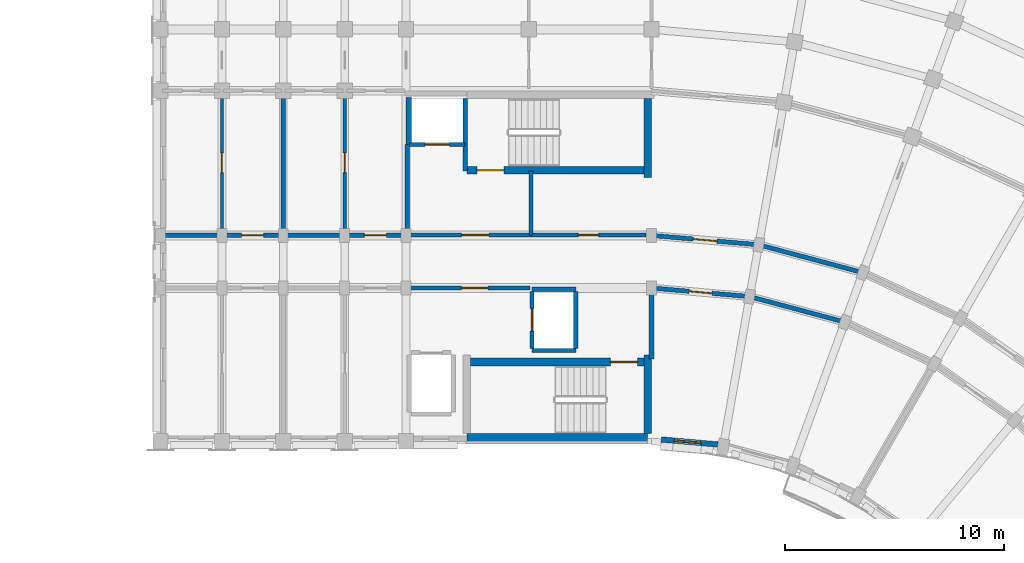
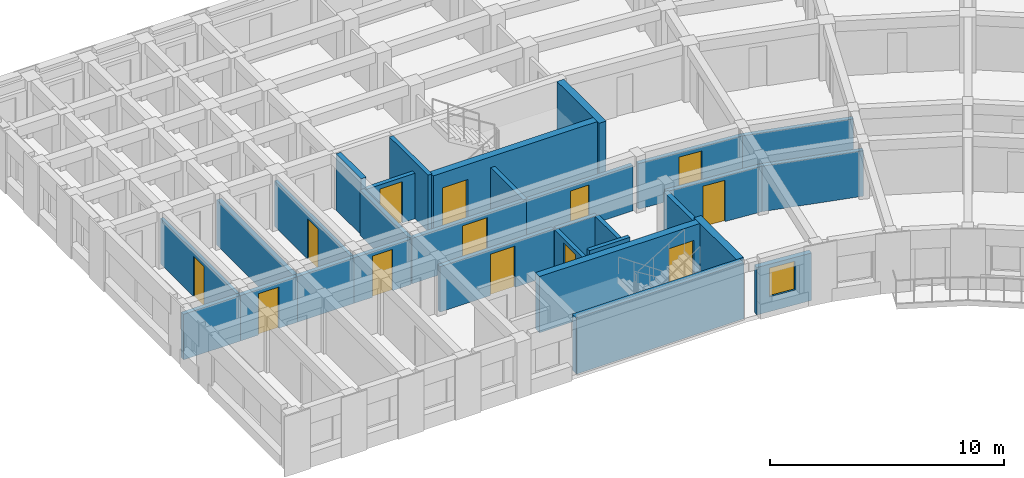
# One storey, part 31 of 54: 30 walls, 13 doors, 1 window, 14 openings.
"""IFC4 building model written with IfcOpenShell, lengths in metres."""

from ifc_helpers import new_model, si_unit, direction, frame, frame_2d, origin, place, context, subcontext, project, spatial, rectangle, extrude, material, layer, layer_set, type_object, element, fill, save


model = new_model("IFC4")

# Units and contexts
model_context = context("Model", 3, precision=1e-05, world=origin(), true_north=direction((0.0, 1.0)))
body_context = subcontext(model_context, "Body", "Model", "MODEL_VIEW")
ifc_project = project(units=[si_unit("LENGTHUNIT", "METRE"), si_unit("AREAUNIT", "SQUARE_METRE"), si_unit("VOLUMEUNIT", "CUBIC_METRE"), si_unit("PLANEANGLEUNIT", "RADIAN"), si_unit("MASSUNIT", "GRAM", prefix="KILO")], contexts=[model_context])

# Site, building, storey
site_placement = place(None, origin())
site = spatial("IfcSite", under=ifc_project, at=site_placement, CompositionType="ELEMENT")
building_placement = place(site_placement, origin())
building = spatial("IfcBuilding", under=site, at=building_placement, Name="Kiranvali Square Residences", CompositionType="ELEMENT")
storey_placement = place(building_placement, frame((0.0, 0.0, 27.60009765625)))
storey = spatial("IfcBuildingStorey", under=building, at=storey_placement, Name="L08", CompositionType="ELEMENT", Elevation=27.60009765625)

# Wall, opening, door
ifc_material_1 = material(Name="Autoclaved aerated concrete blockwork masonry", Category="masonry")
ifc_layer_1 = layer(ifc_material_1, 0.199951171875)
ifc_layer_set_1 = layer_set([ifc_layer_1], Name="Autoclaved aerated concrete blockwork masonry")
wall_type_1 = type_object("IfcWallType", Name="WL-COR-200", PredefinedType="STANDARD", material=ifc_layer_set_1)
wall_1_placement = place(storey_placement, frame((114.25, 113.60009765625, 0.0), z_axis=(0.0, 0.0, 1.0), x_axis=(-1.0, 0.0, 0.0)))
wall_1 = element("IfcWall", 1, at=wall_1_placement, inside=storey, type_object=wall_type_1, Name="L08 architectural wall WL-L08-B-LL-COR", PredefinedType="STANDARD", context=body_context, shape_type="SweptSolid", body=[
    extrude(rectangle(XDim=5.60009765625, YDim=0.199951171875, at=frame_2d((2.800048828125, 0.0))), origin(), (0.0, 0.0, 1.0), 2.371826171875),
])
opening_1_placement = place(wall_1_placement, frame((1.909912109375, 0.0, 0.0)))
opening_1 = element("IfcOpeningElement", 2, at=opening_1_placement, cuts=wall_1, Name="Opening FD-COR-60", PredefinedType="OPENING", context=body_context, shape_type="SweptSolid", body=[
    extrude(rectangle(XDim=1.219970703125, YDim=2.14990234375, at=frame_2d((0.60986328125, 1.074951171875))), frame((0.0, 0.10986328125, 0.0), z_axis=(0.0, -1.0, 0.0), x_axis=(1.0, 0.0, 0.0)), (0.0, 0.0, 1.0), 0.219970703125),
])
ifc_material_2 = material(Name="Fire-rated acoustic hardwood and mineral-core door assembly", Category="wood")
door_type_1 = type_object("IfcDoorType", Name="DR-FD60-1200", OperationType="NOTDEFINED", PredefinedType="DOOR", material=ifc_material_2)
door_1_placement = place(opening_1_placement, origin())
door_1 = element("IfcDoor", 3, at=door_1_placement, inside=storey, type_object=door_type_1, Name="L08 door DR-L08-1459 (DR-FD60-1200)", OperationType="SINGLE_SWING_LEFT", OverallHeight=2.14990234375, OverallWidth=1.219970703125, PredefinedType="DOOR", context=body_context, shape_type="SweptSolid", body=[
    extrude(rectangle(XDim=1.219970703125, YDim=2.14990234375, at=frame_2d((0.60986328125, 1.074951171875))), frame((0.0, 0.02490234375, 0.0), z_axis=(0.0, -1.0, 0.0), x_axis=(1.0, 0.0, 0.0)), (0.0, 0.0, 1.0), 0.050048828125),
])
fill(opening_1, door_1)

wall_2_placement = place(storey_placement, frame((108.60009765625, 116.0, 0.0), z_axis=(0.0, 0.0, 1.0), x_axis=(-1.0, 0.0, 0.0)))
wall_2 = element("IfcWall", 4, at=wall_2_placement, inside=storey, type_object=wall_type_1, Name="L08 architectural wall WL-L08-B-A1CO-0", PredefinedType="STANDARD", context=body_context, shape_type="SweptSolid", body=[
    extrude(rectangle(XDim=2.800048828125, YDim=0.199951171875, at=frame_2d((1.39990234375, 0.0))), origin(), (0.0, 0.0, 1.0), 2.371826171875),
])
opening_2_placement = place(wall_2_placement, frame((0.89990234375, 0.0, 0.0)))
opening_2 = element("IfcOpeningElement", 5, at=opening_2_placement, cuts=wall_2, Name="Opening FD-APT-60", PredefinedType="OPENING", context=body_context, shape_type="SweptSolid", body=[
    extrude(rectangle(XDim=1.0, YDim=2.14990234375, at=frame_2d((0.5, 1.074951171875))), frame((0.0, 0.10986328125, 0.0), z_axis=(0.0, -1.0, 0.0), x_axis=(1.0, 0.0, 0.0)), (0.0, 0.0, 1.0), 0.219970703125),
])
door_type_2 = type_object("IfcDoorType", Name="DR-APT-1000", OperationType="NOTDEFINED", PredefinedType="DOOR", material=ifc_material_2)
door_2_placement = place(opening_2_placement, origin())
door_2 = element("IfcDoor", 6, at=door_2_placement, inside=storey, type_object=door_type_2, Name="L08 door DR-L08-1465 (DR-APT-1000)", OperationType="SINGLE_SWING_LEFT", OverallHeight=2.14990234375, OverallWidth=1.0, PredefinedType="DOOR", context=body_context, shape_type="SweptSolid", body=[
    extrude(rectangle(XDim=1.0, YDim=2.14990234375, at=frame_2d((0.5, 1.074951171875))), frame((0.0, 0.02490234375, 0.0), z_axis=(0.0, -1.0, 0.0), x_axis=(1.0, 0.0, 0.0)), (0.0, 0.0, 1.0), 0.050048828125),
])
fill(opening_2, door_2)

# Wall
wall_3_placement = place(storey_placement, frame((105.800048828125, 116.0, 0.0), z_axis=(0.0, 0.0, 1.0), x_axis=(-1.0, 0.0, 0.0)))
element("IfcWall", 7, at=wall_3_placement, inside=storey, type_object=wall_type_1, Name="L08 architectural wall WL-L08-B-A1CO-1", PredefinedType="STANDARD", context=body_context, shape_type="SweptSolid", body=[
    extrude(rectangle(XDim=2.800048828125, YDim=0.199951171875, at=frame_2d((1.39990234375, 0.0))), origin(), (0.0, 0.0, 1.0), 2.371826171875),
])

# Wall, opening, door
wall_4_placement = place(storey_placement, frame((103.0, 116.0, 0.0), z_axis=(0.0, 0.0, 1.0), x_axis=(-1.0, 0.0, 0.0)))
wall_4 = element("IfcWall", 8, at=wall_4_placement, inside=storey, type_object=wall_type_1, Name="L08 architectural wall WL-L08-B-A1CO-2", PredefinedType="STANDARD", context=body_context, shape_type="SweptSolid", body=[
    extrude(rectangle(XDim=2.800048828125, YDim=0.199951171875, at=frame_2d((1.39990234375, 0.0))), origin(), (0.0, 0.0, 1.0), 2.371826171875),
])
opening_3_placement = place(wall_4_placement, frame((0.89990234375, 0.0, 0.0)))
opening_3 = element("IfcOpeningElement", 9, at=opening_3_placement, cuts=wall_4, Name="Opening FD-APT-60", PredefinedType="OPENING", context=body_context, shape_type="SweptSolid", body=[
    extrude(rectangle(XDim=1.0, YDim=2.14990234375, at=frame_2d((0.5, 1.074951171875))), frame((0.0, 0.10986328125, 0.0), z_axis=(0.0, -1.0, 0.0), x_axis=(1.0, 0.0, 0.0)), (0.0, 0.0, 1.0), 0.219970703125),
])
door_3_placement = place(opening_3_placement, origin())
door_3 = element("IfcDoor", 10, at=door_3_placement, inside=storey, type_object=door_type_2, Name="L08 door DR-L08-1469 (DR-APT-1000)", OperationType="SINGLE_SWING_LEFT", OverallHeight=2.14990234375, OverallWidth=1.0, PredefinedType="DOOR", context=body_context, shape_type="SweptSolid", body=[
    extrude(rectangle(XDim=1.0, YDim=2.14990234375, at=frame_2d((0.5, 1.074951171875))), frame((0.0, 0.02490234375, 0.0), z_axis=(0.0, -1.0, 0.0), x_axis=(1.0, 0.0, 0.0)), (0.0, 0.0, 1.0), 0.050048828125),
])
fill(opening_3, door_3)

# Wall
wall_5_placement = place(storey_placement, frame((100.199951171875, 116.0, 0.0), z_axis=(0.0, 0.0, 1.0), x_axis=(-1.0, 0.0, 0.0)))
element("IfcWall", 11, at=wall_5_placement, inside=storey, type_object=wall_type_1, Name="L08 architectural wall WL-L08-B-A1CO-3", PredefinedType="STANDARD", context=body_context, shape_type="SweptSolid", body=[
    extrude(rectangle(XDim=2.800048828125, YDim=0.199951171875, at=frame_2d((1.39990234375, 0.0))), origin(), (0.0, 0.0, 1.0), 2.371826171875),
])

# Wall, opening, door
wall_6_placement = place(storey_placement, frame((119.800048828125, 113.60009765625, 0.0), z_axis=(0.0, 0.0, 1.0), x_axis=(0.996191949488, -0.087187153726, 0.0)))
wall_6 = element("IfcWall", 12, at=wall_6_placement, inside=storey, type_object=wall_type_1, Name="L08 architectural wall WL-L08-B-CCI-0", PredefinedType="STANDARD", context=body_context, shape_type="SweptSolid", body=[
    extrude(rectangle(XDim=4.4970703125, YDim=0.199951171875, at=frame_2d((2.24853515625, 0.0))), origin(), (0.0, 0.0, 1.0), 2.371826171875),
])
opening_4_placement = place(wall_6_placement, frame((1.728515625, 0.0, 0.0)))
opening_4 = element("IfcOpeningElement", 13, at=opening_4_placement, cuts=wall_6, Name="Opening FD-APT-60B", PredefinedType="OPENING", context=body_context, shape_type="SweptSolid", body=[
    extrude(rectangle(XDim=1.0400390625, YDim=2.14990234375, at=frame_2d((0.52001953125, 1.074951171875))), frame((0.0, 0.10986328125, 0.0), z_axis=(0.0, -1.0, 0.0), x_axis=(1.0, 0.0, 0.0)), (0.0, 0.0, 1.0), 0.219970703125),
])
door_type_3 = type_object("IfcDoorType", Name="DR-APT-1040", OperationType="NOTDEFINED", PredefinedType="DOOR", material=ifc_material_2)
door_4_placement = place(opening_4_placement, origin())
door_4 = element("IfcDoor", 14, at=door_4_placement, inside=storey, type_object=door_type_3, Name="L08 door DR-L08-1497 (DR-APT-1040)", OperationType="SINGLE_SWING_LEFT", OverallHeight=2.14990234375, OverallWidth=1.0400390625, PredefinedType="DOOR", context=body_context, shape_type="SweptSolid", body=[
    extrude(rectangle(XDim=1.0400390625, YDim=2.14990234375, at=frame_2d((0.52001953125, 1.074951171875))), frame((0.0, 0.02490234375, 0.0), z_axis=(0.0, -1.0, 0.0), x_axis=(1.0, 0.0, 0.0)), (0.0, 0.0, 1.0), 0.050048828125),
])
fill(opening_4, door_4)

wall_7_placement = place(storey_placement, frame((119.800048828125, 116.0, 0.0), z_axis=(0.0, 0.0, 1.0), x_axis=(0.996193663584, -0.087167566415, 0.0)))
wall_7 = element("IfcWall", 15, at=wall_7_placement, inside=storey, type_object=wall_type_1, Name="L08 architectural wall WL-L08-B-CCO-0", PredefinedType="STANDARD", context=body_context, shape_type="SweptSolid", body=[
    extrude(rectangle(XDim=4.91552734375, YDim=0.199951171875, at=frame_2d((2.457763671875, 0.0))), origin(), (0.0, 0.0, 1.0), 2.371826171875),
])
opening_5_placement = place(wall_7_placement, frame((1.917724609375, 0.0, 0.0)))
opening_5 = element("IfcOpeningElement", 16, at=opening_5_placement, cuts=wall_7, Name="Opening FD-APT-60C", PredefinedType="OPENING", context=body_context, shape_type="SweptSolid", body=[
    extrude(rectangle(XDim=1.080078125, YDim=2.14990234375, at=frame_2d((0.5400390625, 1.074951171875))), frame((0.0, 0.10986328125, 0.0), z_axis=(0.0, -1.0, 0.0), x_axis=(1.0, 0.0, 0.0)), (0.0, 0.0, 1.0), 0.219970703125),
])
door_type_4 = type_object("IfcDoorType", Name="DR-APT-1080", OperationType="NOTDEFINED", PredefinedType="DOOR", material=ifc_material_2)
door_5_placement = place(opening_5_placement, origin())
door_5 = element("IfcDoor", 17, at=door_5_placement, inside=storey, type_object=door_type_4, Name="L08 door DR-L08-1483 (DR-APT-1080)", OperationType="SINGLE_SWING_LEFT", OverallHeight=2.14990234375, OverallWidth=1.080078125, PredefinedType="DOOR", context=body_context, shape_type="SweptSolid", body=[
    extrude(rectangle(XDim=1.080078125, YDim=2.14990234375, at=frame_2d((0.5400390625, 1.074951171875))), frame((0.0, 0.02490234375, 0.0), z_axis=(0.0, -1.0, 0.0), x_axis=(1.0, 0.0, 0.0)), (0.0, 0.0, 1.0), 0.050048828125),
])
fill(opening_5, door_5)

# Walls
wall_8_placement = place(storey_placement, frame((124.280029296875, 113.2080078125, 0.0), z_axis=(0.0, 0.0, 1.0), x_axis=(0.965934240054, -0.258787642463, 0.0)))
element("IfcWall", 18, at=wall_8_placement, inside=storey, type_object=wall_type_1, Name="L08 architectural wall WL-L08-B-CCI-1", PredefinedType="STANDARD", context=body_context, shape_type="SweptSolid", body=[
    extrude(rectangle(XDim=4.497314453125, YDim=0.199951171875, at=frame_2d((2.24853515625, 0.0))), origin(), (0.0, 0.0, 1.0), 2.371826171875),
])
wall_9_placement = place(storey_placement, frame((124.69677734375, 115.571533203125, 0.0), z_axis=(0.0, 0.0, 1.0), x_axis=(0.965930095386, -0.258803112091, 0.0)))
element("IfcWall", 19, at=wall_9_placement, inside=storey, type_object=wall_type_1, Name="L08 architectural wall WL-L08-B-CCO-1", PredefinedType="STANDARD", context=body_context, shape_type="SweptSolid", body=[
    extrude(rectangle(XDim=4.915771484375, YDim=0.199951171875, at=frame_2d((2.4580078125, 0.0))), origin(), (0.0, 0.0, 1.0), 2.371826171875),
])
ifc_layer_2 = layer(ifc_material_1, 0.219970703125)
ifc_layer_set_2 = layer_set([ifc_layer_2], Name="Autoclaved aerated concrete blockwork masonry")
wall_type_2 = type_object("IfcWallType", Name="WL-DEM-220", PredefinedType="STANDARD", material=ifc_layer_set_2)
wall_10_placement = place(storey_placement, frame((103.0, 116.050048828125, 0.0), z_axis=(0.0, 0.0, 1.0), x_axis=(0.0, 1.0, 0.0)))
element("IfcWall", 20, at=wall_10_placement, inside=storey, type_object=wall_type_2, Name="L08 architectural wall WL-L08-B-A1TO1-2", PredefinedType="STANDARD", context=body_context, shape_type="SweptSolid", body=[
    extrude(rectangle(XDim=6.530029296875, YDim=0.219970703125, at=frame_2d((3.26513671875, 0.0))), origin(), (0.0, 0.0, 1.0), 2.371826171875),
])
wall_11_placement = place(storey_placement, frame((119.800048828125, 110.35009765625, 0.0), z_axis=(0.0, 0.0, 1.0), x_axis=(0.0, 1.0, 0.0)))
element("IfcWall", 21, at=wall_11_placement, inside=storey, type_object=wall_type_2, Name="L08 architectural wall WL-L08-B-RADI-0", PredefinedType="STANDARD", context=body_context, shape_type="SweptSolid", body=[
    extrude(rectangle(XDim=3.199951171875, YDim=0.219970703125, at=frame_2d((1.60009765625, 0.0))), origin(), (0.0, 0.0, 1.0), 2.371826171875),
])

# Wall, opening, window
ifc_material_3 = material(Name="Breathable lime-rendered clay brick masonry", Category="masonry")
ifc_layer_3 = layer(ifc_material_3, 0.25)
ifc_layer_set_3 = layer_set([ifc_layer_3], Name="Breathable lime-rendered clay brick masonry")
wall_type_3 = type_object("IfcWallType", Name="WL-EXT-250", PredefinedType="STANDARD", material=ifc_layer_set_3)
wall_12_placement = place(storey_placement, frame((120.249267578125, 106.686279296875, 0.0), z_axis=(0.0, 0.0, 1.0), x_axis=(0.996188278786, -0.087229084652, 0.0)))
wall_12 = element("IfcWall", 22, at=wall_12_placement, inside=storey, type_object=wall_type_3, Name="L08 exterior wall B-L08-GDN-00", PredefinedType="STANDARD", context=body_context, shape_type="SweptSolid", body=[
    extrude(rectangle(XDim=2.583251953125, YDim=0.25, at=frame_2d((1.29150390625, 0.0))), origin(), (0.0, 0.0, 1.0), 2.471923828125),
])
opening_6_placement = place(wall_12_placement, frame((0.5986328125, 0.0, 0.77197265625)))
opening_6 = element("IfcOpeningElement", 23, at=opening_6_placement, cuts=wall_12, Name="Opening W-06", PredefinedType="OPENING", context=body_context, shape_type="SweptSolid", body=[
    extrude(rectangle(XDim=1.199951171875, YDim=1.5, at=frame_2d((0.60009765625, 0.75))), frame((0.0, 0.135009765625, 0.0), z_axis=(0.0, -1.0, 0.0), x_axis=(1.0, 0.0, 0.0)), (0.0, 0.0, 1.0), 0.27001953125),
])
ifc_material_4 = material(Name="Solar-control low-e double glazing", Category="glass")
window_type = type_object("IfcWindowType", Name="WIN-RES-1200x1500", PartitioningType="SINGLE_PANEL", PredefinedType="WINDOW", material=ifc_material_4)
window_placement = place(opening_6_placement, origin())
window = element("IfcWindow", 24, at=window_placement, inside=storey, type_object=window_type, Name="L08 recessed window B-L08-GDN-00", OverallHeight=1.5, OverallWidth=1.199951171875, PartitioningType="SINGLE_PANEL", PredefinedType="WINDOW", context=body_context, shape_type="SweptSolid", body=[
    extrude(rectangle(XDim=1.199951171875, YDim=1.5, at=frame_2d((0.60009765625, 0.75))), frame((0.0, 0.030029296875, 0.0), z_axis=(0.0, -1.0, 0.0), x_axis=(1.0, 0.0, 0.0)), (0.0, 0.0, 1.0), 0.06005859375),
])
fill(opening_6, window)

# Wall, opening, door
ifc_layer_4 = layer(ifc_material_1, 0.199951171875)
ifc_layer_set_4 = layer_set([ifc_layer_4], Name="Autoclaved aerated concrete blockwork masonry")
wall_type_4 = type_object("IfcWallType", Name="WL-FFL-200", PredefinedType="STANDARD", material=ifc_layer_set_4)
wall_13_placement = place(storey_placement, frame((114.300048828125, 116.02001953125, 0.0), z_axis=(0.0, 0.0, 1.0), x_axis=(-1.0, 0.0, 0.0)))
wall_13 = element("IfcWall", 25, at=wall_13_placement, inside=storey, type_object=wall_type_4, Name="L08 architectural wall WL-L08-B-FF-COR", PredefinedType="STANDARD", context=body_context, shape_type="SweptSolid", body=[
    extrude(rectangle(XDim=5.650146484375, YDim=0.199951171875, at=frame_2d((2.8251953125, 0.0))), origin(), (0.0, 0.0, 1.0), 2.371826171875),
])
opening_7_placement = place(wall_13_placement, frame((1.922607421875, 0.0, 0.0)))
opening_7 = element("IfcOpeningElement", 26, at=opening_7_placement, cuts=wall_13, Name="Opening FD-ST-120", PredefinedType="OPENING", context=body_context, shape_type="SweptSolid", body=[
    extrude(rectangle(XDim=1.239990234375, YDim=2.14990234375, at=frame_2d((0.6201171875, 1.074951171875))), frame((0.0, 0.10986328125, 0.0), z_axis=(0.0, -1.0, 0.0), x_axis=(1.0, 0.0, 0.0)), (0.0, 0.0, 1.0), 0.219970703125),
])
door_type_5 = type_object("IfcDoorType", Name="DR-FD120-1200", OperationType="NOTDEFINED", PredefinedType="DOOR", material=ifc_material_2)
door_6_placement = place(opening_7_placement, origin())
door_6 = element("IfcDoor", 27, at=door_6_placement, inside=storey, type_object=door_type_5, Name="L08 door DR-L08-1451 (DR-FD120-1200)", OperationType="SINGLE_SWING_LEFT", OverallHeight=2.14990234375, OverallWidth=1.239990234375, PredefinedType="DOOR", context=body_context, shape_type="SweptSolid", body=[
    extrude(rectangle(XDim=1.239990234375, YDim=2.14990234375, at=frame_2d((0.6201171875, 1.074951171875))), frame((0.0, 0.02490234375, 0.0), z_axis=(0.0, -1.0, 0.0), x_axis=(1.0, 0.0, 0.0)), (0.0, 0.0, 1.0), 0.050048828125),
])
fill(opening_7, door_6)

# Walls
wall_14_placement = place(storey_placement, frame((114.300048828125, 116.02001953125, 0.0), z_axis=(0.0, 0.0, 1.0), x_axis=(0.0, 1.0, 0.0)))
element("IfcWall", 28, at=wall_14_placement, inside=storey, type_object=wall_type_4, Name="L08 architectural wall WL-L08-B-FF-DIV", PredefinedType="STANDARD", context=body_context, shape_type="SweptSolid", body=[
    extrude(rectangle(XDim=2.929931640625, YDim=0.199951171875, at=frame_2d((1.46484375, 0.0))), origin(), (0.0, 0.0, 1.0), 2.371826171875),
])
wall_15_placement = place(storey_placement, frame((108.64990234375, 116.02001953125, 0.0), z_axis=(0.0, 0.0, 1.0), x_axis=(0.0, 1.0, 0.0)))
element("IfcWall", 29, at=wall_15_placement, inside=storey, type_object=wall_type_4, Name="L08 architectural wall WL-L08-B-FF-END", PredefinedType="STANDARD", context=body_context, shape_type="SweptSolid", body=[
    extrude(rectangle(XDim=4.1298828125, YDim=0.199951171875, at=frame_2d((2.06494140625, 0.0))), origin(), (0.0, 0.0, 1.0), 2.371826171875),
])

# Wall, opening, door
wall_16_placement = place(storey_placement, frame((111.300048828125, 120.14990234375, 0.0), z_axis=(0.0, 0.0, 1.0), x_axis=(-1.0, 0.0, 0.0)))
wall_16 = element("IfcWall", 30, at=wall_16_placement, inside=storey, type_object=wall_type_4, Name="L08 architectural wall WL-L08-B-FF-LFT", PredefinedType="STANDARD", context=body_context, shape_type="SweptSolid", body=[
    extrude(rectangle(XDim=2.550048828125, YDim=0.199951171875, at=frame_2d((1.27490234375, 0.0))), origin(), (0.0, 0.0, 1.0), 2.371826171875),
])
opening_8_placement = place(wall_16_placement, frame((0.72509765625, 0.0, 0.0)))
opening_8 = element("IfcOpeningElement", 31, at=opening_8_placement, cuts=wall_16, Name="Opening LD-FF-110", PredefinedType="OPENING", context=body_context, shape_type="SweptSolid", body=[
    extrude(rectangle(XDim=1.10009765625, YDim=2.14990234375, at=frame_2d((0.550048828125, 1.074951171875))), frame((0.0, 0.10986328125, 0.0), z_axis=(0.0, -1.0, 0.0), x_axis=(1.0, 0.0, 0.0)), (0.0, 0.0, 1.0), 0.219970703125),
])
door_type_6 = type_object("IfcDoorType", Name="DR-LIFT-FF-1100", OperationType="SLIDING_TO_LEFT", PredefinedType="DOOR", material=ifc_material_2)
door_7_placement = place(opening_8_placement, origin())
door_7 = element("IfcDoor", 32, at=door_7_placement, inside=storey, type_object=door_type_6, Name="L08 door DR-L08-1453 (DR-LIFT-FF-1100)", OperationType="SLIDING_TO_LEFT", OverallHeight=2.14990234375, OverallWidth=1.10009765625, PredefinedType="DOOR", context=body_context, shape_type="SweptSolid", body=[
    extrude(rectangle(XDim=1.10009765625, YDim=2.14990234375, at=frame_2d((0.550048828125, 1.074951171875))), frame((0.0, 0.02490234375, 0.0), z_axis=(0.0, -1.0, 0.0), x_axis=(1.0, 0.0, 0.0)), (0.0, 0.0, 1.0), 0.050048828125),
])
fill(opening_8, door_7)

ifc_material_5 = material(Name="Acoustic gypsum board drylined partition", Category="gypsum")
ifc_layer_5 = layer(ifc_material_5, 0.14990234375)
ifc_layer_set_5 = layer_set([ifc_layer_5], Name="Acoustic gypsum board drylined partition")
wall_type_5 = type_object("IfcWallType", Name="WL-PRT-150", PredefinedType="PARTITIONING", material=ifc_layer_set_5)
wall_17_placement = place(storey_placement, frame((105.800048828125, 116.050048828125, 0.0), z_axis=(0.0, 0.0, 1.0), x_axis=(0.0, 1.0, 0.0)))
wall_17 = element("IfcWall", 33, at=wall_17_placement, inside=storey, type_object=wall_type_5, Name="L08 architectural wall WL-L08-B-A1TO1-1", PredefinedType="PARTITIONING", context=body_context, shape_type="SweptSolid", body=[
    extrude(rectangle(XDim=6.530029296875, YDim=0.14990234375, at=frame_2d((3.26513671875, 0.0))), origin(), (0.0, 0.0, 1.0), 2.371826171875),
])
opening_9_placement = place(wall_17_placement, frame((2.81494140625, 0.0, 0.0)))
opening_9 = element("IfcOpeningElement", 34, at=opening_9_placement, cuts=wall_17, Name="Opening ID-1", PredefinedType="OPENING", context=body_context, shape_type="SweptSolid", body=[
    extrude(rectangle(XDim=0.89990234375, YDim=2.10009765625, at=frame_2d((0.449951171875, 1.050048828125))), frame((0.0, 0.0849609375, 0.0), z_axis=(0.0, -1.0, 0.0), x_axis=(1.0, 0.0, 0.0)), (0.0, 0.0, 1.0), 0.169921875),
])
ifc_material_6 = material(Name="Solid seasoned teak hardwood joinery", Category="wood")
door_type_7 = type_object("IfcDoorType", Name="DR-INT-900", OperationType="NOTDEFINED", PredefinedType="DOOR", material=ifc_material_6)
door_8_placement = place(opening_9_placement, origin())
door_8 = element("IfcDoor", 35, at=door_8_placement, inside=storey, type_object=door_type_7, Name="L08 door DR-L08-1473 (DR-INT-900)", OperationType="SINGLE_SWING_LEFT", OverallHeight=2.10009765625, OverallWidth=0.89990234375, PredefinedType="DOOR", context=body_context, shape_type="SweptSolid", body=[
    extrude(rectangle(XDim=0.89990234375, YDim=2.10009765625, at=frame_2d((0.449951171875, 1.050048828125))), frame((0.0, 0.02490234375, 0.0), z_axis=(0.0, -1.0, 0.0), x_axis=(1.0, 0.0, 0.0)), (0.0, 0.0, 1.0), 0.050048828125),
])
fill(opening_9, door_8)

wall_18_placement = place(storey_placement, frame((100.199951171875, 116.050048828125, 0.0), z_axis=(0.0, 0.0, 1.0), x_axis=(0.0, 1.0, 0.0)))
wall_18 = element("IfcWall", 36, at=wall_18_placement, inside=storey, type_object=wall_type_5, Name="L08 architectural wall WL-L08-B-A1TO1-3", PredefinedType="PARTITIONING", context=body_context, shape_type="SweptSolid", body=[
    extrude(rectangle(XDim=6.530029296875, YDim=0.14990234375, at=frame_2d((3.26513671875, 0.0))), origin(), (0.0, 0.0, 1.0), 2.371826171875),
])
opening_10_placement = place(wall_18_placement, frame((2.81494140625, 0.0, 0.0)))
opening_10 = element("IfcOpeningElement", 37, at=opening_10_placement, cuts=wall_18, Name="Opening ID-1", PredefinedType="OPENING", context=body_context, shape_type="SweptSolid", body=[
    extrude(rectangle(XDim=0.89990234375, YDim=2.10009765625, at=frame_2d((0.449951171875, 1.050048828125))), frame((0.0, 0.0849609375, 0.0), z_axis=(0.0, -1.0, 0.0), x_axis=(1.0, 0.0, 0.0)), (0.0, 0.0, 1.0), 0.169921875),
])
door_9_placement = place(opening_10_placement, frame((0.89990234375, 0.0, 0.0), z_axis=(0.0, 0.0, 1.0), x_axis=(-1.0, 0.0, 0.0)))
door_9 = element("IfcDoor", 38, at=door_9_placement, inside=storey, type_object=door_type_7, Name="L08 door DR-L08-1476 (DR-INT-900)", OperationType="SINGLE_SWING_RIGHT", OverallHeight=2.10009765625, OverallWidth=0.89990234375, PredefinedType="DOOR", context=body_context, shape_type="SweptSolid", body=[
    extrude(rectangle(XDim=0.89990234375, YDim=2.10009765625, at=frame_2d((0.449951171875, 1.050048828125))), frame((0.0, 0.02490234375, 0.0), z_axis=(0.0, -1.0, 0.0), x_axis=(1.0, 0.0, 0.0)), (0.0, 0.0, 1.0), 0.050048828125),
])
fill(opening_10, door_9)

ifc_layer_6 = layer(ifc_material_1, 0.199951171875)
ifc_layer_set_6 = layer_set([ifc_layer_6], Name="Autoclaved aerated concrete blockwork masonry")
wall_type_6 = type_object("IfcWallType", Name="WL-SHF-200", PredefinedType="STANDARD", material=ifc_layer_set_6)
wall_19_placement = place(storey_placement, frame((119.550048828125, 116.02001953125, 0.0), z_axis=(0.0, 0.0, 1.0), x_axis=(-1.0, 0.0, 0.0)))
wall_19 = element("IfcWall", 39, at=wall_19_placement, inside=storey, type_object=wall_type_6, Name="L08 architectural wall WL-L08-B-RSR-COR", PredefinedType="STANDARD", context=body_context, shape_type="SweptSolid", body=[
    extrude(rectangle(XDim=5.25, YDim=0.199951171875, at=frame_2d((2.625, 0.0))), origin(), (0.0, 0.0, 1.0), 2.371826171875),
])
opening_11_placement = place(wall_19_placement, frame((2.1650390625, 0.0, 0.0)))
opening_11 = element("IfcOpeningElement", 40, at=opening_11_placement, cuts=wall_19, Name="Opening FD-SVC-120", PredefinedType="OPENING", context=body_context, shape_type="SweptSolid", body=[
    extrude(rectangle(XDim=0.919921875, YDim=2.10009765625, at=frame_2d((0.4599609375, 1.050048828125))), frame((0.0, 0.10986328125, 0.0), z_axis=(0.0, -1.0, 0.0), x_axis=(1.0, 0.0, 0.0)), (0.0, 0.0, 1.0), 0.219970703125),
])
door_type_8 = type_object("IfcDoorType", Name="DR-SVC-900", OperationType="NOTDEFINED", PredefinedType="DOOR", material=ifc_material_2)
door_10_placement = place(opening_11_placement, frame((0.919921875, 0.0, 0.0), z_axis=(0.0, 0.0, 1.0), x_axis=(-1.0, 0.0, 0.0)))
door_10 = element("IfcDoor", 41, at=door_10_placement, inside=storey, type_object=door_type_8, Name="L08 door DR-L08-1452 (DR-SVC-900)", OperationType="SINGLE_SWING_RIGHT", OverallHeight=2.10009765625, OverallWidth=0.919921875, PredefinedType="DOOR", context=body_context, shape_type="SweptSolid", body=[
    extrude(rectangle(XDim=0.919921875, YDim=2.10009765625, at=frame_2d((0.4599609375, 1.050048828125))), frame((0.0, 0.02490234375, 0.0), z_axis=(0.0, -1.0, 0.0), x_axis=(1.0, 0.0, 0.0)), (0.0, 0.0, 1.0), 0.050048828125),
])
fill(opening_11, door_10)

# Walls
wall_20_placement = place(storey_placement, frame((111.300048828125, 118.949951171875, 0.0), z_axis=(0.0, 0.0, 1.0), x_axis=(0.0, 1.0, 0.0)))
element("IfcWall", 42, at=wall_20_placement, inside=storey, type_object=wall_type_6, Name="L08 architectural wall WL-L08-B-FF-SHF", PredefinedType="STANDARD", context=body_context, shape_type="SweptSolid", body=[
    extrude(rectangle(XDim=3.300048828125, YDim=0.199951171875, at=frame_2d((1.64990234375, 0.0))), origin(), (0.0, 0.0, 1.0), 2.929931640625),
])
wall_21_placement = place(storey_placement, frame((116.35009765625, 110.75, 0.0), z_axis=(0.0, 0.0, 1.0), x_axis=(-1.0, 0.0, 0.0)))
element("IfcWall", 43, at=wall_21_placement, inside=storey, type_object=wall_type_6, Name="L08 architectural wall WL-L08-B-LP2-S0", PredefinedType="STANDARD", context=body_context, shape_type="SweptSolid", body=[
    extrude(rectangle(XDim=2.0, YDim=0.199951171875, at=frame_2d((1.0, 0.0))), origin(), (0.0, 0.0, 1.0), 2.929931640625),
])
wall_22_placement = place(storey_placement, frame((116.35009765625, 113.550048828125, 0.0), z_axis=(0.0, 0.0, 1.0), x_axis=(-1.0, 0.0, 0.0)))
element("IfcWall", 44, at=wall_22_placement, inside=storey, type_object=wall_type_6, Name="L08 architectural wall WL-L08-B-LP2-B", PredefinedType="STANDARD", context=body_context, shape_type="SweptSolid", body=[
    extrude(rectangle(XDim=2.0, YDim=0.199951171875, at=frame_2d((1.0, 0.0))), origin(), (0.0, 0.0, 1.0), 2.371826171875),
])
wall_23_placement = place(storey_placement, frame((116.35009765625, 110.85009765625, 0.0), z_axis=(0.0, 0.0, 1.0), x_axis=(0.0, 1.0, 0.0)))
element("IfcWall", 45, at=wall_23_placement, inside=storey, type_object=wall_type_6, Name="L08 architectural wall WL-L08-B-LP2-S1", PredefinedType="STANDARD", context=body_context, shape_type="SweptSolid", body=[
    extrude(rectangle(XDim=2.599853515625, YDim=0.199951171875, at=frame_2d((1.2998046875, 0.0))), origin(), (0.0, 0.0, 1.0), 2.371826171875),
])

# Wall, opening, door
wall_24_placement = place(storey_placement, frame((114.35009765625, 110.85009765625, 0.0), z_axis=(0.0, 0.0, 1.0), x_axis=(0.0, 1.0, 0.0)))
wall_24 = element("IfcWall", 46, at=wall_24_placement, inside=storey, type_object=wall_type_6, Name="L08 architectural wall WL-L08-B-LP2-F", PredefinedType="STANDARD", context=body_context, shape_type="SweptSolid", body=[
    extrude(rectangle(XDim=2.599853515625, YDim=0.199951171875, at=frame_2d((1.2998046875, 0.0))), origin(), (0.0, 0.0, 1.0), 2.371826171875),
])
opening_12_placement = place(wall_24_placement, frame((0.7900390625, 0.0, 0.0)))
opening_12 = element("IfcOpeningElement", 47, at=opening_12_placement, cuts=wall_24, Name="Opening LD-PAX-100", PredefinedType="OPENING", context=body_context, shape_type="SweptSolid", body=[
    extrude(rectangle(XDim=1.02001953125, YDim=2.14990234375, at=frame_2d((0.510009765625, 1.074951171875))), frame((0.0, 0.10986328125, 0.0), z_axis=(0.0, -1.0, 0.0), x_axis=(1.0, 0.0, 0.0)), (0.0, 0.0, 1.0), 0.219970703125),
])
door_type_9 = type_object("IfcDoorType", Name="DR-LIFT-1000", OperationType="SLIDING_TO_RIGHT", PredefinedType="DOOR", material=ifc_material_2)
door_11_placement = place(opening_12_placement, origin())
door_11 = element("IfcDoor", 48, at=door_11_placement, inside=storey, type_object=door_type_9, Name="L08 door DR-L08-1458 (DR-LIFT-1000)", OperationType="SLIDING_TO_RIGHT", OverallHeight=2.14990234375, OverallWidth=1.02001953125, PredefinedType="DOOR", context=body_context, shape_type="SweptSolid", body=[
    extrude(rectangle(XDim=1.02001953125, YDim=2.14990234375, at=frame_2d((0.510009765625, 1.074951171875))), frame((0.0, 0.02490234375, 0.0), z_axis=(0.0, -1.0, 0.0), x_axis=(1.0, 0.0, 0.0)), (0.0, 0.0, 1.0), 0.050048828125),
])
fill(opening_12, door_11)

# Wall
ifc_material_7 = material(Name="Concrete M45 (45 MPa)", Category="concrete")
ifc_layer_7 = layer(ifc_material_7, 0.25)
ifc_layer_set_7 = layer_set([ifc_layer_7], Name="Concrete M45 (45 MPa)")
wall_type_7 = type_object("IfcWallType", Name="WL-SHR-250", PredefinedType="SHEAR", material=ifc_layer_set_7)
wall_25_placement = place(storey_placement, frame((108.72509765625, 120.14990234375, 0.0), z_axis=(0.0, 0.0, 1.0), x_axis=(0.0, 1.0, 0.0)))
element("IfcWall", 49, at=wall_25_placement, inside=storey, type_object=wall_type_7, Name="Block B core shear wall SW-BFF-SD-L08", PredefinedType="SHEAR", context=body_context, shape_type="SweptSolid", body=[
    extrude(rectangle(XDim=2.150146484375, YDim=0.25, at=frame_2d((1.0751953125, 0.0))), origin(), (0.0, 0.0, 1.0), 2.929931640625),
])

# Wall, opening, door
ifc_layer_8 = layer(ifc_material_7, 0.320068359375)
ifc_layer_set_8 = layer_set([ifc_layer_8], Name="Concrete M45 (45 MPa)")
wall_type_8 = type_object("IfcWallType", Name="WL-SHR-320", PredefinedType="SHEAR", material=ifc_layer_set_8)
wall_26_placement = place(storey_placement, frame((119.449951171875, 118.97509765625, 0.0), z_axis=(0.0, 0.0, 1.0), x_axis=(-1.0, 0.0, 0.0)))
wall_26 = element("IfcWall", 50, at=wall_26_placement, inside=storey, type_object=wall_type_8, Name="Block B core shear wall SW-B1-IN-L08", PredefinedType="SHEAR", context=body_context, shape_type="SweptSolid", body=[
    extrude(rectangle(XDim=8.074951171875, YDim=0.35009765625, at=frame_2d((4.03759765625, 0.0))), origin(), (0.0, 0.0, 1.0), 2.929931640625),
])
opening_13_placement = place(wall_26_placement, frame((6.3798828125, 0.0, 0.0)))
opening_13 = element("IfcOpeningElement", 51, at=opening_13_placement, cuts=wall_26, Name="Opening FD-ST-120", PredefinedType="OPENING", context=body_context, shape_type="SweptSolid", body=[
    extrude(rectangle(XDim=1.239990234375, YDim=2.14990234375, at=frame_2d((0.6201171875, 1.074951171875))), frame((0.0, 0.18505859375, 0.0), z_axis=(0.0, -1.0, 0.0), x_axis=(1.0, 0.0, 0.0)), (0.0, 0.0, 1.0), 0.3701171875),
])
door_12_placement = place(opening_13_placement, frame((1.239990234375, 0.0, 0.0), z_axis=(0.0, 0.0, 1.0), x_axis=(-1.0, 0.0, 0.0)))
door_12 = element("IfcDoor", 52, at=door_12_placement, inside=storey, type_object=door_type_5, Name="L08 door DR-L08-1454 (DR-FD120-1200)", OperationType="SINGLE_SWING_RIGHT", OverallHeight=2.14990234375, OverallWidth=1.239990234375, PredefinedType="DOOR", context=body_context, shape_type="SweptSolid", body=[
    extrude(rectangle(XDim=1.239990234375, YDim=2.14990234375, at=frame_2d((0.6201171875, 1.074951171875))), frame((0.0, 0.02490234375, 0.0), z_axis=(0.0, -1.0, 0.0), x_axis=(1.0, 0.0, 0.0)), (0.0, 0.0, 1.0), 0.050048828125),
])
fill(opening_13, door_12)

# Walls
wall_27_placement = place(storey_placement, frame((119.625, 118.64990234375, 0.0), z_axis=(0.0, 0.0, 1.0), x_axis=(0.0, 1.0, 0.0)))
element("IfcWall", 53, at=wall_27_placement, inside=storey, type_object=wall_type_8, Name="Block B core shear wall SW-B1-FAR-L08", PredefinedType="SHEAR", context=body_context, shape_type="SweptSolid", body=[
    extrude(rectangle(XDim=3.60009765625, YDim=0.35009765625, at=frame_2d((1.800048828125, 0.0))), origin(), (0.0, 0.0, 1.0), 2.929931640625),
])
wall_28_placement = place(storey_placement, frame((119.625, 106.77490234375, 0.0), z_axis=(0.0, 0.0, 1.0), x_axis=(-1.0, 0.0, 0.0)))
element("IfcWall", 54, at=wall_28_placement, inside=storey, type_object=wall_type_8, Name="Block B core shear wall SW-B2-OUT-L08", PredefinedType="SHEAR", context=body_context, shape_type="SweptSolid", body=[
    extrude(rectangle(XDim=8.25, YDim=0.35009765625, at=frame_2d((4.125, 0.0))), origin(), (0.0, 0.0, 1.0), 2.929931640625),
])

# Wall, opening, door
wall_29_placement = place(storey_placement, frame((119.449951171875, 110.22509765625, 0.0), z_axis=(0.0, 0.0, 1.0), x_axis=(-1.0, 0.0, 0.0)))
wall_29 = element("IfcWall", 55, at=wall_29_placement, inside=storey, type_object=wall_type_8, Name="Block B core shear wall SW-B2-IN-L08", PredefinedType="SHEAR", context=body_context, shape_type="SweptSolid", body=[
    extrude(rectangle(XDim=7.89990234375, YDim=0.35009765625, at=frame_2d((3.949951171875, 0.0))), origin(), (0.0, 0.0, 1.0), 2.929931640625),
])
opening_14_placement = place(wall_29_placement, frame((0.280029296875, 0.0, 0.0)))
opening_14 = element("IfcOpeningElement", 56, at=opening_14_placement, cuts=wall_29, Name="Opening FD-ST-120", PredefinedType="OPENING", context=body_context, shape_type="SweptSolid", body=[
    extrude(rectangle(XDim=1.239990234375, YDim=2.14990234375, at=frame_2d((0.6201171875, 1.074951171875))), frame((0.0, 0.18505859375, 0.0), z_axis=(0.0, -1.0, 0.0), x_axis=(1.0, 0.0, 0.0)), (0.0, 0.0, 1.0), 0.3701171875),
])
door_13_placement = place(opening_14_placement, origin())
door_13 = element("IfcDoor", 57, at=door_13_placement, inside=storey, type_object=door_type_5, Name="L08 door DR-L08-1455 (DR-FD120-1200)", OperationType="SINGLE_SWING_LEFT", OverallHeight=2.14990234375, OverallWidth=1.239990234375, PredefinedType="DOOR", context=body_context, shape_type="SweptSolid", body=[
    extrude(rectangle(XDim=1.239990234375, YDim=2.14990234375, at=frame_2d((0.6201171875, 1.074951171875))), frame((0.0, 0.02490234375, 0.0), z_axis=(0.0, -1.0, 0.0), x_axis=(1.0, 0.0, 0.0)), (0.0, 0.0, 1.0), 0.050048828125),
])
fill(opening_14, door_13)

# Wall
wall_30_placement = place(storey_placement, frame((119.625, 106.949951171875, 0.0), z_axis=(0.0, 0.0, 1.0), x_axis=(0.0, 1.0, 0.0)))
element("IfcWall", 58, at=wall_30_placement, inside=storey, type_object=wall_type_8, Name="Block B core shear wall SW-B2-NEAR-L08", PredefinedType="SHEAR", context=body_context, shape_type="SweptSolid", body=[
    extrude(rectangle(XDim=3.60009765625, YDim=0.35009765625, at=frame_2d((1.800048828125, 0.0))), origin(), (0.0, 0.0, 1.0), 2.929931640625),
])

save(model, "model.ifc")
